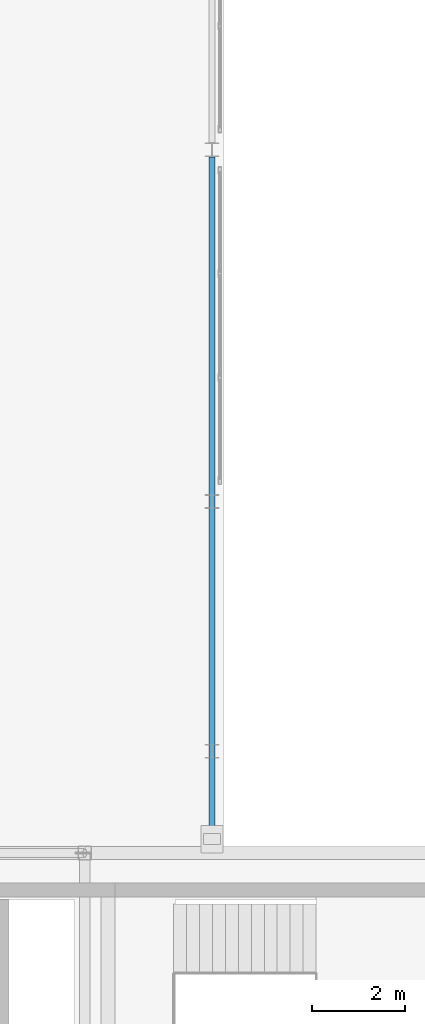
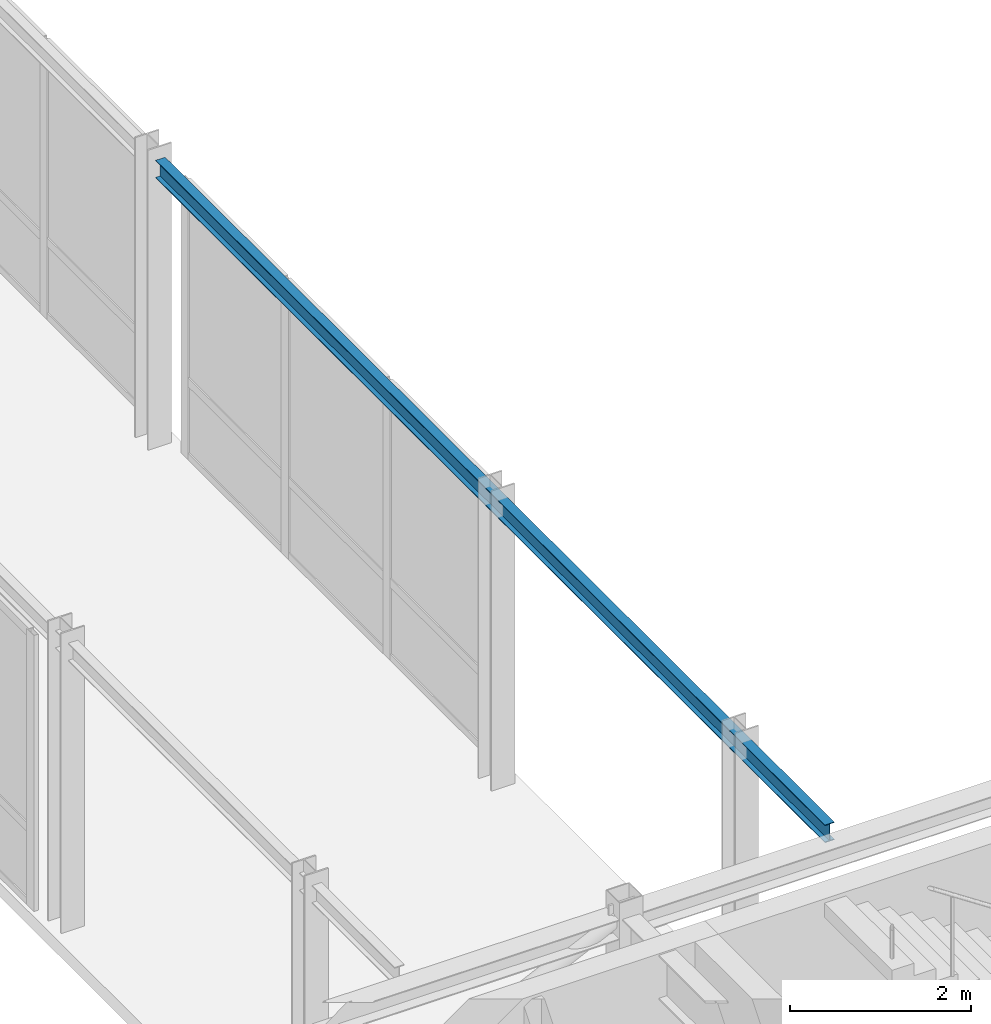
# One storey, part 107 of 165: 1 beam.
"""IFC4 building model written with IfcOpenShell, lengths in metres."""

from ifc_helpers import new_model, si_unit, direction, frame, origin, origin_2d, place, context, subcontext, project, spatial, i_section, extrude, material, material_profile, profile_set, type_object, element, save


model = new_model("IFC4")

# Units and contexts
model_context = context("Model", 3, precision=1e-05, world=origin(), true_north=direction((0.0, 1.0)))
body_context = subcontext(model_context, "Body", "Model", "MODEL_VIEW")
ifc_project = project(units=[si_unit("LENGTHUNIT", "METRE"), si_unit("AREAUNIT", "SQUARE_METRE"), si_unit("VOLUMEUNIT", "CUBIC_METRE"), si_unit("PLANEANGLEUNIT", "RADIAN"), si_unit("MASSUNIT", "GRAM", prefix="KILO")], contexts=[model_context])

# Site, building, storey
site_placement = place(None, origin())
site = spatial("IfcSite", under=ifc_project, at=site_placement, CompositionType="ELEMENT")
building_placement = place(site_placement, origin())
building = spatial("IfcBuilding", under=site, at=building_placement, Name="Montecoro Central Library", CompositionType="ELEMENT")
storey_placement = place(building_placement, frame((0.0, 0.0, 5.10009765625)))
storey = spatial("IfcBuildingStorey", under=building, at=storey_placement, Name="L01", CompositionType="ELEMENT", Elevation=5.10009765625)

# Beam
ifc_material = material(Name="Steel S355", Category="steel")
ifc_material_profile = material_profile(ifc_material, i_section(OverallWidth=0.1201171875, OverallDepth=0.239990234375, WebThickness=0.006103515625, FlangeThickness=0.009765625, at=origin_2d()), Name="IPE 240")
ifc_profile_set = profile_set([ifc_material_profile], Name="Steel S355")
beam_type = type_object("IfcBeamType", Name="BM-SP-IPE240", PredefinedType="SPANDREL", material=ifc_profile_set)
beam_placement = place(storey_placement, frame((159.75, 43.219970703125, 3.77490234375), z_axis=(0.0, 1.0, 0.0), x_axis=(-1.0, 0.0, 0.0)))
element("IfcBeam", 1, at=beam_placement, inside=storey, type_object=beam_type, Name="BR-E-L02-BM-E1", PredefinedType="SPANDREL", context=body_context, shape_type="SweptSolid", body=[
    extrude(i_section(OverallWidth=0.1201171875, OverallDepth=0.239990234375, WebThickness=0.006103515625, FlangeThickness=0.009765625, at=origin_2d()), origin(), (0.0, 0.0, 1.0), 14.820068359375),
])

save(model, "model.ifc")
